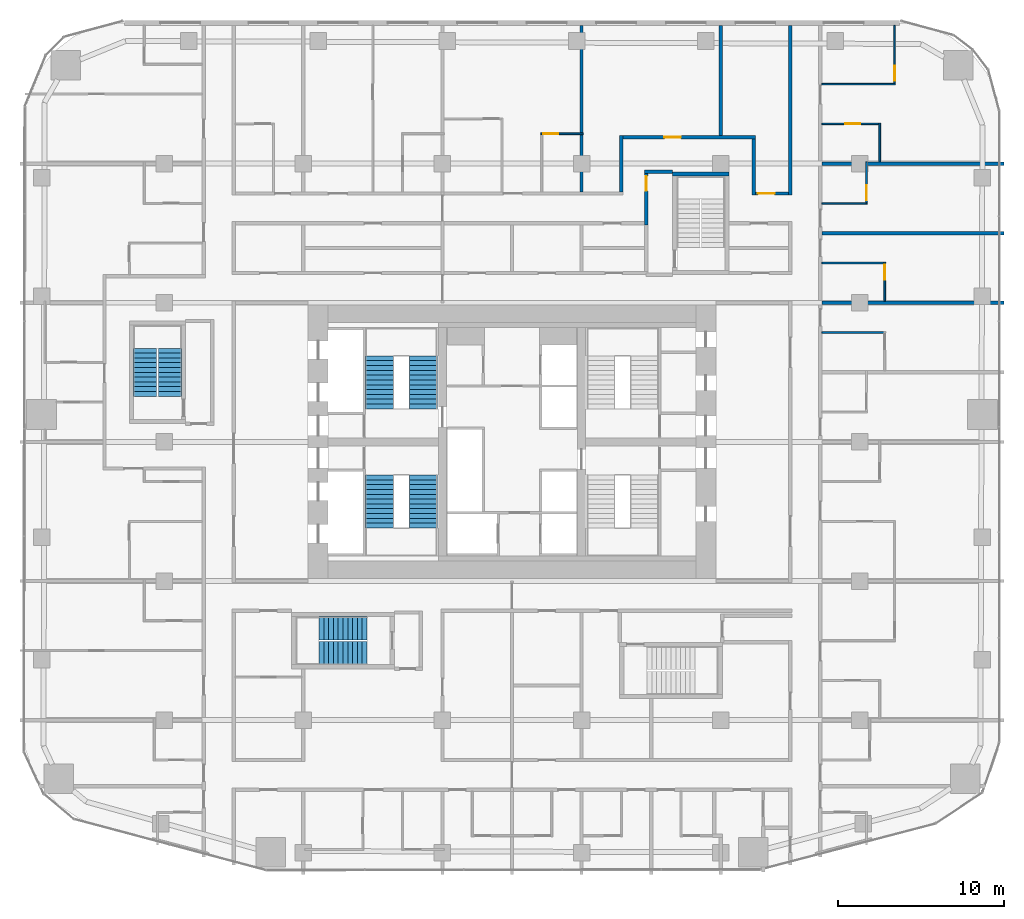
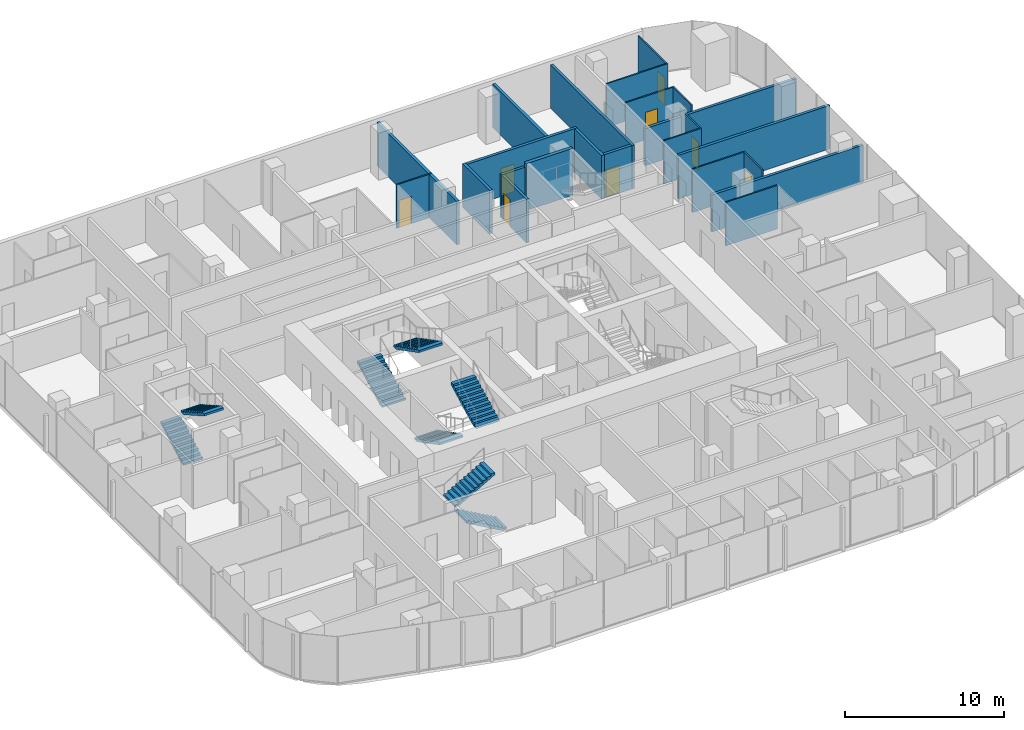
# One storey, part 23 of 26: 23 walls, 8 doors, 8 stair flights, 8 openings, 4 elements without a shape of their own.
"""IFC4 building model written with IfcOpenShell, lengths in metres."""

from ifc_helpers import new_model, si_unit, direction, frame, frame_2d, origin, place, context, subcontext, project, spatial, polyline, rectangle, outline, extrude, material, layer, layer_set, type_object, element, fill, aggregate, save


model = new_model("IFC4")

# Units and contexts
model_context = context("Model", 3, precision=1e-05, world=origin(), true_north=direction((0.0, 1.0)))
body_context = subcontext(model_context, "Body", "Model", "MODEL_VIEW")
ifc_project = project(units=[si_unit("LENGTHUNIT", "METRE"), si_unit("AREAUNIT", "SQUARE_METRE"), si_unit("VOLUMEUNIT", "CUBIC_METRE"), si_unit("PLANEANGLEUNIT", "RADIAN"), si_unit("MASSUNIT", "GRAM", prefix="KILO")], contexts=[model_context])

# Site, building, storey
site_placement = place(None, origin())
site = spatial("IfcSite", under=ifc_project, at=site_placement, CompositionType="ELEMENT")
building_placement = place(site_placement, origin())
building = spatial("IfcBuilding", under=site, at=building_placement, Name="Marenta Gate Hotel Tower", CompositionType="ELEMENT")
storey_placement = place(building_placement, frame((0.0, 0.0, 65.300048828125)))
storey = spatial("IfcBuildingStorey", under=building, at=storey_placement, Name="L14", CompositionType="ELEMENT", Elevation=65.300048828125)

# Walls
ifc_material_1 = material(Name="Concrete C40", Category="concrete")
ifc_layer_1 = layer(ifc_material_1, 0.25)
ifc_layer_set_1 = layer_set([ifc_layer_1], Name="Concrete C40")
wall_type_1 = type_object("IfcWallType", Name="Remote stair enclosure wall 250 REI 180", PredefinedType="SHEAR", material=ifc_layer_set_1)
wall_1_placement = place(storey_placement, frame((9.699951171875, 24.574951171875, 0.099853515625), z_axis=(0.0, 0.0, 1.0), x_axis=(1.0, 0.0, 0.0)))
element("IfcWall", 1, at=wall_1_placement, inside=storey, type_object=wall_type_1, Name="L14-RS-Z1-4-W2", PredefinedType="SHEAR", context=body_context, shape_type="SweptSolid", body=[
    extrude(rectangle(XDim=3.400146484375, YDim=0.25, at=frame_2d((1.7001953125, 0.0))), origin(), (0.0, 0.0, 1.0), 3.60009765625),
])
ifc_material_2 = material(Name="Gypsum board on steel stud", Category="steel")
ifc_layer_2 = layer(ifc_material_2, 0.199951171875)
ifc_layer_set_2 = layer_set([ifc_layer_2], Name="Gypsum board on steel stud")
wall_type_2 = type_object("IfcWallType", Name="Room corridor wall 200 EI 60", PredefinedType="PARTITIONING", material=ifc_layer_set_2)
wall_2_placement = place(storey_placement, frame((16.800048828125, 23.300048828125, 0.0), z_axis=(0.0, 0.0, 1.0), x_axis=(0.0, 1.0, 0.0)))
element("IfcWall", 2, at=wall_2_placement, inside=storey, type_object=wall_type_2, Name="L14-PTN-W018", PredefinedType="PARTITIONING", context=body_context, shape_type="SweptSolid", body=[
    extrude(rectangle(XDim=10.239990234375, YDim=0.199951171875, at=frame_2d((5.1201171875, 0.0))), origin(), (0.0, 0.0, 1.0), 3.33984375),
])
for number, where, z_axis, x_axis, name in (
    (3, (14.60009765625, 23.300048828125, 0.0), (0.0, 0.0, 1.0), (0.0, 1.0, 0.0), "L14-PTN-W028"),
    (4, (6.60009765625, 23.5, 0.0), (0.0, 0.0, 1.0), (0.0, 1.0, 0.0), "L14-PTN-W050"),
):
    element("IfcWall", number, at=place(storey_placement, frame(where, z_axis=z_axis, x_axis=x_axis)), inside=storey, type_object=wall_type_2, Name=name, PredefinedType="PARTITIONING", context=body_context, shape_type="SweptSolid", body=[
        extrude(rectangle(XDim=3.39990234375, YDim=0.199951171875, at=frame_2d((1.699951171875, 0.0))), origin(), (0.0, 0.0, 1.0), 3.33984375),
    ])

# Wall, opening, door
wall_3_placement = place(storey_placement, frame((14.699951171875, 23.39990234375, 0.0), z_axis=(0.0, 0.0, 1.0), x_axis=(1.0, 0.0, 0.0)))
wall_3 = element("IfcWall", 5, at=wall_3_placement, inside=storey, type_object=wall_type_2, Name="L14-PTN-W138", PredefinedType="PARTITIONING", context=body_context, shape_type="SweptSolid", body=[
    extrude(rectangle(XDim=2.0, YDim=0.199951171875, at=frame_2d((1.0, 0.0))), origin(), (0.0, 0.0, 1.0), 3.33984375),
])
opening_1_placement = place(wall_3_placement, frame((0.14990234375, 0.0, 0.0)))
opening_1 = element("IfcOpeningElement", 6, at=opening_1_placement, cuts=wall_3, Name="Opening G05-34", PredefinedType="OPENING", context=body_context, shape_type="SweptSolid", body=[
    extrude(rectangle(XDim=1.0, YDim=2.10009765625, at=frame_2d((0.5, 1.050048828125))), frame((0.0, 0.10009765625, 0.0), z_axis=(0.0, -1.0, 0.0), x_axis=(1.0, 0.0, 0.0)), (0.0, 0.0, 1.0), 0.199951171875),
])
ifc_material_3 = material(Name="Timber door leaf", Category="wood")
door_type_1 = type_object("IfcDoorType", Name="Room amenity door 1000x2100 EI 30", OperationType="NOTDEFINED", PredefinedType="DOOR", material=ifc_material_3)
door_1_placement = place(opening_1_placement, origin())
door_1 = element("IfcDoor", 7, at=door_1_placement, inside=storey, type_object=door_type_1, Name="L14-PD-D034", OperationType="SINGLE_SWING_LEFT", OverallHeight=2.10009765625, OverallWidth=1.0, PredefinedType="DOOR", context=body_context, shape_type="SweptSolid", body=[
    extrude(rectangle(XDim=1.0, YDim=2.10009765625, at=frame_2d((0.5, 1.050048828125))), frame((0.0, 0.02490234375, 0.0), z_axis=(0.0, -1.0, 0.0), x_axis=(1.0, 0.0, 0.0)), (0.0, 0.0, 1.0), 0.050048828125),
])
fill(opening_1, door_1)

wall_4_placement = place(storey_placement, frame((6.699951171875, 26.800048828125, 0.0), z_axis=(0.0, 0.0, 1.0), x_axis=(1.0, 0.0, 0.0)))
wall_4 = element("IfcWall", 8, at=wall_4_placement, inside=storey, type_object=wall_type_2, Name="L14-PTN-W143", PredefinedType="PARTITIONING", context=body_context, shape_type="SweptSolid", body=[
    extrude(rectangle(XDim=8.0, YDim=0.199951171875, at=frame_2d((4.0, 0.0))), origin(), (0.0, 0.0, 1.0), 3.33984375),
])
opening_2_placement = place(wall_4_placement, frame((2.5, 0.0, 0.0)))
opening_2 = element("IfcOpeningElement", 9, at=opening_2_placement, cuts=wall_4, Name="Opening G05-70", PredefinedType="OPENING", context=body_context, shape_type="SweptSolid", body=[
    extrude(rectangle(XDim=1.0, YDim=2.10009765625, at=frame_2d((0.5, 1.050048828125))), frame((0.0, 0.10009765625, 0.0), z_axis=(0.0, -1.0, 0.0), x_axis=(1.0, 0.0, 0.0)), (0.0, 0.0, 1.0), 0.199951171875),
])
door_2_placement = place(opening_2_placement, origin())
door_2 = element("IfcDoor", 10, at=door_2_placement, inside=storey, type_object=door_type_1, Name="L14-PD-D070", OperationType="SINGLE_SWING_RIGHT", OverallHeight=2.10009765625, OverallWidth=1.0, PredefinedType="DOOR", context=body_context, shape_type="SweptSolid", body=[
    extrude(rectangle(XDim=1.0, YDim=2.10009765625, at=frame_2d((0.5, 1.050048828125))), frame((0.0, 0.02490234375, 0.0), z_axis=(0.0, -1.0, 0.0), x_axis=(1.0, 0.0, 0.0)), (0.0, 0.0, 1.0), 0.050048828125),
])
fill(opening_2, door_2)

ifc_material_4 = material(Name="Concrete blockwork", Category="masonry")
ifc_layer_3 = layer(ifc_material_4, 0.199951171875)
ifc_layer_set_3 = layer_set([ifc_layer_3], Name="Concrete blockwork")
wall_type_3 = type_object("IfcWallType", Name="Room corridor wall 200 REI 180", PredefinedType="PARTITIONING", material=ifc_layer_set_3)
wall_5_placement = place(storey_placement, frame((8.10009765625, 21.5, 0.0), z_axis=(0.0, 0.0, 1.0), x_axis=(0.0, 1.0, 0.0)))
wall_5 = element("IfcWall", 11, at=wall_5_placement, inside=storey, type_object=wall_type_3, Name="L14-PTN-W048", PredefinedType="PARTITIONING", context=body_context, shape_type="SweptSolid", body=[
    extrude(rectangle(XDim=3.10009765625, YDim=0.199951171875, at=frame_2d((1.550048828125, 0.0))), origin(), (0.0, 0.0, 1.0), 3.33984375),
])
opening_3_placement = place(wall_5_placement, frame((2.050048828125, 0.0, 0.0)))
opening_3 = element("IfcOpeningElement", 12, at=opening_3_placement, cuts=wall_5, Name="Opening G05-69", PredefinedType="OPENING", context=body_context, shape_type="SweptSolid", body=[
    extrude(rectangle(XDim=0.89990234375, YDim=2.10009765625, at=frame_2d((0.449951171875, 1.050048828125))), frame((0.0, 0.10009765625, 0.0), z_axis=(0.0, -1.0, 0.0), x_axis=(1.0, 0.0, 0.0)), (0.0, 0.0, 1.0), 0.199951171875),
])
ifc_material_5 = material(Name="Hollow steel door set", Category="steel")
door_type_2 = type_object("IfcDoorType", Name="Stair vestibule door 900x2100 EI 60", OperationType="NOTDEFINED", PredefinedType="DOOR", material=ifc_material_5)
door_3_placement = place(opening_3_placement, origin())
door_3 = element("IfcDoor", 13, at=door_3_placement, inside=storey, type_object=door_type_2, Name="L14-PD-D069", OperationType="SINGLE_SWING_LEFT", OverallHeight=2.10009765625, OverallWidth=0.89990234375, PredefinedType="DOOR", context=body_context, shape_type="SweptSolid", body=[
    extrude(rectangle(XDim=0.89990234375, YDim=2.10009765625, at=frame_2d((0.449951171875, 1.050048828125))), frame((0.0, 0.02490234375, 0.0), z_axis=(0.0, -1.0, 0.0), x_axis=(1.0, 0.0, 0.0)), (0.0, 0.0, 1.0), 0.050048828125),
])
fill(opening_3, door_3)

# Wall
wall_6_placement = place(storey_placement, frame((8.0, 24.699951171875, 0.0), z_axis=(0.0, 0.0, 1.0), x_axis=(1.0, 0.0, 0.0)))
element("IfcWall", 14, at=wall_6_placement, inside=storey, type_object=wall_type_3, Name="L14-PTN-W140", PredefinedType="PARTITIONING", context=body_context, shape_type="SweptSolid", body=[
    extrude(rectangle(XDim=1.699951171875, YDim=0.199951171875, at=frame_2d((0.85009765625, 0.0))), origin(), (0.0, 0.0, 1.0), 3.33984375),
])

# Wall, opening, door
ifc_material_6 = material(Name="Gypsum board on steel stud", Category="steel")
ifc_layer_4 = layer(ifc_material_6, 0.10009765625)
ifc_layer_set_4 = layer_set([ifc_layer_4], Name="Gypsum board on steel stud")
wall_type_4 = type_object("IfcWallType", Name="Room partition 100", PredefinedType="PARTITIONING", material=ifc_layer_set_4)
wall_7_placement = place(storey_placement, frame((23.10009765625, 30.050048828125, 0.0), z_axis=(0.0, 0.0, 1.0), x_axis=(0.0, 1.0, 0.0)))
wall_7 = element("IfcWall", 15, at=wall_7_placement, inside=storey, type_object=wall_type_4, Name="L14-PTN-W002", PredefinedType="PARTITIONING", context=body_context, shape_type="SweptSolid", body=[
    extrude(rectangle(XDim=3.489990234375, YDim=0.10009765625, at=frame_2d((1.7451171875, 0.0))), origin(), (0.0, 0.0, 1.0), 3.33984375),
])
opening_4_placement = place(wall_7_placement, frame((0.14990234375, 0.0, 0.0)))
opening_4 = element("IfcOpeningElement", 16, at=opening_4_placement, cuts=wall_7, Name="Opening G05-24", PredefinedType="OPENING", context=body_context, shape_type="SweptSolid", body=[
    extrude(rectangle(XDim=0.89990234375, YDim=2.10009765625, at=frame_2d((0.449951171875, 1.050048828125))), frame((0.0, 0.050048828125, 0.0), z_axis=(0.0, -1.0, 0.0), x_axis=(1.0, 0.0, 0.0)), (0.0, 0.0, 1.0), 0.10009765625),
])
ifc_material_7 = material(Name="Timber door leaf", Category="wood")
door_type_3 = type_object("IfcDoorType", Name="Guest bathroom door 900x2100", OperationType="NOTDEFINED", PredefinedType="DOOR", material=ifc_material_7)
door_4_placement = place(opening_4_placement, origin())
door_4 = element("IfcDoor", 17, at=door_4_placement, inside=storey, type_object=door_type_3, Name="L14-PD-D024", OperationType="SINGLE_SWING_LEFT", OverallHeight=2.10009765625, OverallWidth=0.89990234375, PredefinedType="DOOR", context=body_context, shape_type="SweptSolid", body=[
    extrude(rectangle(XDim=0.89990234375, YDim=2.10009765625, at=frame_2d((0.449951171875, 1.050048828125))), frame((0.0, 0.02490234375, 0.0), z_axis=(0.0, -1.0, 0.0), x_axis=(1.0, 0.0, 0.0)), (0.0, 0.0, 1.0), 0.050048828125),
])
fill(opening_4, door_4)

wall_8_placement = place(storey_placement, frame((22.5, 16.89990234375, 0.0), z_axis=(0.0, 0.0, 1.0), x_axis=(0.0, 1.0, 0.0)))
wall_8 = element("IfcWall", 18, at=wall_8_placement, inside=storey, type_object=wall_type_4, Name="L14-PTN-W004", PredefinedType="PARTITIONING", context=body_context, shape_type="SweptSolid", body=[
    extrude(rectangle(XDim=2.35009765625, YDim=0.10009765625, at=frame_2d((1.175048828125, 0.0))), origin(), (0.0, 0.0, 1.0), 3.33984375),
])
opening_5_placement = place(wall_8_placement, frame((1.300048828125, 0.0, 0.0)))
opening_5 = element("IfcOpeningElement", 19, at=opening_5_placement, cuts=wall_8, Name="Opening G05-20", PredefinedType="OPENING", context=body_context, shape_type="SweptSolid", body=[
    extrude(rectangle(XDim=0.89990234375, YDim=2.10009765625, at=frame_2d((0.449951171875, 1.050048828125))), frame((0.0, 0.050048828125, 0.0), z_axis=(0.0, -1.0, 0.0), x_axis=(1.0, 0.0, 0.0)), (0.0, 0.0, 1.0), 0.10009765625),
])
door_5_placement = place(opening_5_placement, origin())
door_5 = element("IfcDoor", 20, at=door_5_placement, inside=storey, type_object=door_type_3, Name="L14-PD-D020", OperationType="SINGLE_SWING_RIGHT", OverallHeight=2.10009765625, OverallWidth=0.89990234375, PredefinedType="DOOR", context=body_context, shape_type="SweptSolid", body=[
    extrude(rectangle(XDim=0.89990234375, YDim=2.10009765625, at=frame_2d((0.449951171875, 1.050048828125))), frame((0.0, 0.02490234375, 0.0), z_axis=(0.0, -1.0, 0.0), x_axis=(1.0, 0.0, 0.0)), (0.0, 0.0, 1.0), 0.050048828125),
])
fill(opening_5, door_5)

# Wall
wall_9_placement = place(storey_placement, frame((22.199951171875, 25.300048828125, 0.0), z_axis=(0.0, 0.0, 1.0), x_axis=(0.0, 1.0, 0.0)))
element("IfcWall", 21, at=wall_9_placement, inside=storey, type_object=wall_type_4, Name="L14-PTN-W007", PredefinedType="PARTITIONING", context=body_context, shape_type="SweptSolid", body=[
    extrude(rectangle(XDim=2.349853515625, YDim=0.10009765625, at=frame_2d((1.1748046875, 0.0))), origin(), (0.0, 0.0, 1.0), 3.33984375),
])

# Wall, opening, door
wall_10_placement = place(storey_placement, frame((21.39990234375, 22.85009765625, 0.0), z_axis=(0.0, 0.0, 1.0), x_axis=(0.0, 1.0, 0.0)))
wall_10 = element("IfcWall", 22, at=wall_10_placement, inside=storey, type_object=wall_type_4, Name="L14-PTN-W011", PredefinedType="PARTITIONING", context=body_context, shape_type="SweptSolid", body=[
    extrude(rectangle(XDim=2.449951171875, YDim=0.10009765625, at=frame_2d((1.22509765625, 0.0))), origin(), (0.0, 0.0, 1.0), 3.33984375),
])
opening_6_placement = place(wall_10_placement, frame((0.14990234375, 0.0, 0.0)))
opening_6 = element("IfcOpeningElement", 23, at=opening_6_placement, cuts=wall_10, Name="Opening G05-22", PredefinedType="OPENING", context=body_context, shape_type="SweptSolid", body=[
    extrude(rectangle(XDim=0.89990234375, YDim=2.10009765625, at=frame_2d((0.449951171875, 1.050048828125))), frame((0.0, 0.050048828125, 0.0), z_axis=(0.0, -1.0, 0.0), x_axis=(1.0, 0.0, 0.0)), (0.0, 0.0, 1.0), 0.10009765625),
])
door_6_placement = place(opening_6_placement, origin())
door_6 = element("IfcDoor", 24, at=door_6_placement, inside=storey, type_object=door_type_3, Name="L14-PD-D022", OperationType="SINGLE_SWING_LEFT", OverallHeight=2.10009765625, OverallWidth=0.89990234375, PredefinedType="DOOR", context=body_context, shape_type="SweptSolid", body=[
    extrude(rectangle(XDim=0.89990234375, YDim=2.10009765625, at=frame_2d((0.449951171875, 1.050048828125))), frame((0.0, 0.02490234375, 0.0), z_axis=(0.0, -1.0, 0.0), x_axis=(1.0, 0.0, 0.0)), (0.0, 0.0, 1.0), 0.050048828125),
])
fill(opening_6, door_6)

# Walls
for number, where, z_axis, x_axis, name in (
    (25, (18.699951171875, 15.0, 0.0), (0.0, 0.0, 1.0), (1.0, 0.0, 0.0), "L14-PTN-W104"),
    (26, (18.699951171875, 19.199951171875, 0.0), (0.0, 0.0, 1.0), (1.0, 0.0, 0.0), "L14-PTN-W119"),
):
    element("IfcWall", number, at=place(storey_placement, frame(where, z_axis=z_axis, x_axis=x_axis)), inside=storey, type_object=wall_type_4, Name=name, PredefinedType="PARTITIONING", context=body_context, shape_type="SweptSolid", body=[
        extrude(rectangle(XDim=3.75, YDim=0.10009765625, at=frame_2d((1.875, 0.0))), origin(), (0.0, 0.0, 1.0), 3.33984375),
    ])
wall_11_placement = place(storey_placement, frame((18.699951171875, 22.800048828125, 0.0), z_axis=(0.0, 0.0, 1.0), x_axis=(1.0, 0.0, 0.0)))
element("IfcWall", 27, at=wall_11_placement, inside=storey, type_object=wall_type_4, Name="L14-PTN-W134", PredefinedType="PARTITIONING", context=body_context, shape_type="SweptSolid", body=[
    extrude(rectangle(XDim=2.75, YDim=0.10009765625, at=frame_2d((1.375, 0.0))), origin(), (0.0, 0.0, 1.0), 3.33984375),
])

# Wall, opening, door
wall_12_placement = place(storey_placement, frame((1.75, 27.0, 0.0), z_axis=(0.0, 0.0, 1.0), x_axis=(1.0, 0.0, 0.0)))
wall_12 = element("IfcWall", 28, at=wall_12_placement, inside=storey, type_object=wall_type_4, Name="L14-PTN-W145", PredefinedType="PARTITIONING", context=body_context, shape_type="SweptSolid", body=[
    extrude(rectangle(XDim=2.550048828125, YDim=0.10009765625, at=frame_2d((1.27490234375, 0.0))), origin(), (0.0, 0.0, 1.0), 3.33984375),
])
opening_7_placement = place(wall_12_placement, frame((0.14990234375, 0.0, 0.0)))
opening_7 = element("IfcOpeningElement", 29, at=opening_7_placement, cuts=wall_12, Name="Opening G05-33", PredefinedType="OPENING", context=body_context, shape_type="SweptSolid", body=[
    extrude(rectangle(XDim=0.89990234375, YDim=2.10009765625, at=frame_2d((0.449951171875, 1.050048828125))), frame((0.0, 0.050048828125, 0.0), z_axis=(0.0, -1.0, 0.0), x_axis=(1.0, 0.0, 0.0)), (0.0, 0.0, 1.0), 0.10009765625),
])
ifc_material_8 = material(Name="Timber door leaf", Category="wood")
door_type_4 = type_object("IfcDoorType", Name="Room inner door 900x2100", OperationType="NOTDEFINED", PredefinedType="DOOR", material=ifc_material_8)
door_7_placement = place(opening_7_placement, origin())
door_7 = element("IfcDoor", 30, at=door_7_placement, inside=storey, type_object=door_type_4, Name="L14-PD-D033", OperationType="SINGLE_SWING_RIGHT", OverallHeight=2.10009765625, OverallWidth=0.89990234375, PredefinedType="DOOR", context=body_context, shape_type="SweptSolid", body=[
    extrude(rectangle(XDim=0.89990234375, YDim=2.10009765625, at=frame_2d((0.449951171875, 1.050048828125))), frame((0.0, 0.02490234375, 0.0), z_axis=(0.0, -1.0, 0.0), x_axis=(1.0, 0.0, 0.0)), (0.0, 0.0, 1.0), 0.050048828125),
])
fill(opening_7, door_7)

wall_13_placement = place(storey_placement, frame((18.699951171875, 27.60009765625, 0.0), z_axis=(0.0, 0.0, 1.0), x_axis=(1.0, 0.0, 0.0)))
wall_13 = element("IfcWall", 31, at=wall_13_placement, inside=storey, type_object=wall_type_4, Name="L14-PTN-W147", PredefinedType="PARTITIONING", context=body_context, shape_type="SweptSolid", body=[
    extrude(rectangle(XDim=3.449951171875, YDim=0.10009765625, at=frame_2d((1.72509765625, 0.0))), origin(), (0.0, 0.0, 1.0), 3.33984375),
])
opening_8_placement = place(wall_13_placement, frame((1.429931640625, 0.0, 0.0)))
opening_8 = element("IfcOpeningElement", 32, at=opening_8_placement, cuts=wall_13, Name="Opening G05-25", PredefinedType="OPENING", context=body_context, shape_type="SweptSolid", body=[
    extrude(rectangle(XDim=0.89990234375, YDim=2.10009765625, at=frame_2d((0.449951171875, 1.050048828125))), frame((0.0, 0.050048828125, 0.0), z_axis=(0.0, -1.0, 0.0), x_axis=(1.0, 0.0, 0.0)), (0.0, 0.0, 1.0), 0.10009765625),
])
door_8_placement = place(opening_8_placement, origin())
door_8 = element("IfcDoor", 33, at=door_8_placement, inside=storey, type_object=door_type_4, Name="L14-PD-D025", OperationType="SINGLE_SWING_LEFT", OverallHeight=2.10009765625, OverallWidth=0.89990234375, PredefinedType="DOOR", context=body_context, shape_type="SweptSolid", body=[
    extrude(rectangle(XDim=0.89990234375, YDim=2.10009765625, at=frame_2d((0.449951171875, 1.050048828125))), frame((0.0, 0.02490234375, 0.0), z_axis=(0.0, -1.0, 0.0), x_axis=(1.0, 0.0, 0.0)), (0.0, 0.0, 1.0), 0.050048828125),
])
fill(opening_8, door_8)

# Walls
wall_14_placement = place(storey_placement, frame((18.699951171875, 30.0, 0.0), z_axis=(0.0, 0.0, 1.0), x_axis=(1.0, 0.0, 0.0)))
element("IfcWall", 34, at=wall_14_placement, inside=storey, type_object=wall_type_4, Name="L14-PTN-W152", PredefinedType="PARTITIONING", context=body_context, shape_type="SweptSolid", body=[
    extrude(rectangle(XDim=4.449951171875, YDim=0.10009765625, at=frame_2d((2.22509765625, 0.0))), origin(), (0.0, 0.0, 1.0), 3.33984375),
])
ifc_material_9 = material(Name="Gypsum board on steel stud", Category="steel")
ifc_layer_5 = layer(ifc_material_9, 0.199951171875)
ifc_layer_set_5 = layer_set([ifc_layer_5], Name="Gypsum board on steel stud")
wall_type_5 = type_object("IfcWallType", Name="Room party wall 200 EI 60", PredefinedType="PARTITIONING", material=ifc_layer_set_5)
wall_15_placement = place(storey_placement, frame((12.60009765625, 26.89990234375, 0.0), z_axis=(0.0, 0.0, 1.0), x_axis=(0.0, 1.0, 0.0)))
element("IfcWall", 35, at=wall_15_placement, inside=storey, type_object=wall_type_5, Name="L14-PTN-W033", PredefinedType="PARTITIONING", context=body_context, shape_type="SweptSolid", body=[
    extrude(rectangle(XDim=6.64013671875, YDim=0.199951171875, at=frame_2d((3.320068359375, 0.0))), origin(), (0.0, 0.0, 1.0), 3.33984375),
])
wall_16_placement = place(storey_placement, frame((4.199951171875, 23.5, 0.0), z_axis=(0.0, 0.0, 1.0), x_axis=(0.0, 1.0, 0.0)))
element("IfcWall", 36, at=wall_16_placement, inside=storey, type_object=wall_type_5, Name="L14-PTN-W059", PredefinedType="PARTITIONING", context=body_context, shape_type="SweptSolid", body=[
    extrude(rectangle(XDim=10.0400390625, YDim=0.199951171875, at=frame_2d((5.02001953125, 0.0))), origin(), (0.0, 0.0, 1.0), 3.33984375),
])
wall_17_placement = place(storey_placement, frame((18.699951171875, 16.800048828125, 0.0), z_axis=(0.0, 0.0, 1.0), x_axis=(1.0, 0.0, 0.0)))
element("IfcWall", 37, at=wall_17_placement, inside=storey, type_object=wall_type_5, Name="L14-PTN-W111", PredefinedType="PARTITIONING", context=body_context, shape_type="SweptSolid", body=[
    extrude(rectangle(XDim=11.0, YDim=0.199951171875, at=frame_2d((5.5, 0.0))), origin(), (0.0, 0.0, 1.0), 2.83984375),
])
wall_18_placement = place(storey_placement, frame((18.699951171875, 21.0, 0.0), z_axis=(0.0, 0.0, 1.0), x_axis=(1.0, 0.0, 0.0)))
element("IfcWall", 38, at=wall_18_placement, inside=storey, type_object=wall_type_5, Name="L14-PTN-W124", PredefinedType="PARTITIONING", context=body_context, shape_type="SweptSolid", body=[
    extrude(rectangle(XDim=11.0, YDim=0.199951171875, at=frame_2d((5.5, 0.0))), origin(), (0.0, 0.0, 1.0), 3.33984375),
])
wall_19_placement = place(storey_placement, frame((18.699951171875, 25.199951171875, 0.0), z_axis=(0.0, 0.0, 1.0), x_axis=(1.0, 0.0, 0.0)))
element("IfcWall", 39, at=wall_19_placement, inside=storey, type_object=wall_type_5, Name="L14-PTN-W142", PredefinedType="PARTITIONING", context=body_context, shape_type="SweptSolid", body=[
    extrude(rectangle(XDim=11.0, YDim=0.199951171875, at=frame_2d((5.5, 0.0))), origin(), (0.0, 0.0, 1.0), 2.83984375),
])

# Stair, stair flights
ifc_material_10 = material(Name="Concrete C40", Category="concrete")
stair_type_1 = type_object("IfcStairType", Name="Core exit stair 1700 wide", PredefinedType="HALF_TURN_STAIR", material=ifc_material_10)
stair_1_placement = place(storey_placement, origin())
stair_1 = element("IfcStair", 40, at=stair_1_placement, inside=storey, type_object=stair_type_1, Name="Exit stair 1", PredefinedType="HALF_TURN_STAIR")
ifc_material_11 = material(Name="Concrete C40", Category="concrete")
stair_flight_type_1 = type_object("IfcStairFlightType", Name="Core stair flight 1700 riser 150.0 going 290", PredefinedType="STRAIGHT", material=ifc_material_11)
stair_flight_1_placement = place(storey_placement, frame((-8.0, 6.39990234375, 0.0), z_axis=(0.0, 0.0, 1.0), x_axis=(0.0, -1.0, 0.0)))
stair_flight_1 = element("IfcStairFlight", 41, at=stair_flight_1_placement, type_object=stair_flight_type_1, Name="ST1 flight 1", NumberOfRisers=12, NumberOfTreads=11, PredefinedType="STRAIGHT", RiserHeight=0.15, TreadLength=0.29, context=body_context, shape_type="SweptSolid", body=[
    extrude(outline(polyline([(0.0, 0.0), (0.0, 0.14990234375), (0.2900390625, 0.14990234375), (0.2900390625, 0.300048828125), (0.580078125, 0.300048828125), (0.580078125, 0.449951171875), (0.8701171875, 0.449951171875), (0.8701171875, 0.60009765625), (1.159912109375, 0.60009765625), (1.159912109375, 0.75), (1.449951171875, 0.75), (1.449951171875, 0.89990234375), (1.739990234375, 0.89990234375), (1.739990234375, 1.050048828125), (2.030029296875, 1.050048828125), (2.030029296875, 1.199951171875), (2.320068359375, 1.199951171875), (2.320068359375, 1.35009765625), (2.610107421875, 1.35009765625), (2.610107421875, 1.5), (2.89990234375, 1.5), (2.89990234375, 1.64990234375), (3.18994140625, 1.64990234375), (3.18994140625, 1.800048828125), (3.18994140625, 1.481201171875), (0.326171875, 0.0), (0.0, 0.0)])), frame((0.0, 0.85009765625, 0.0), z_axis=(0.0, -1.0, 0.0), x_axis=(1.0, 0.0, 0.0)), (0.0, 0.0, 1.0), 1.699951171875),
])
stair_flight_2_placement = place(storey_placement, frame((-5.35009765625, 3.2099609375, 1.800048828125), z_axis=(0.0, 0.0, 1.0), x_axis=(0.0, 1.0, 0.0)))
stair_flight_2 = element("IfcStairFlight", 42, at=stair_flight_2_placement, type_object=stair_flight_type_1, Name="ST1 flight 2", NumberOfRisers=12, NumberOfTreads=11, PredefinedType="STRAIGHT", RiserHeight=0.15, TreadLength=0.29, context=body_context, shape_type="SweptSolid", body=[
    extrude(outline(polyline([(0.0, 0.0), (0.0, 0.14990234375), (0.2900390625, 0.14990234375), (0.2900390625, 0.300048828125), (0.580078125, 0.300048828125), (0.580078125, 0.449951171875), (0.8701171875, 0.449951171875), (0.8701171875, 0.60009765625), (1.159912109375, 0.60009765625), (1.159912109375, 0.75), (1.449951171875, 0.75), (1.449951171875, 0.89990234375), (1.739990234375, 0.89990234375), (1.739990234375, 1.050048828125), (2.030029296875, 1.050048828125), (2.030029296875, 1.199951171875), (2.320068359375, 1.199951171875), (2.320068359375, 1.35009765625), (2.610107421875, 1.35009765625), (2.610107421875, 1.5), (2.89990234375, 1.5), (2.89990234375, 1.64990234375), (3.18994140625, 1.64990234375), (3.18994140625, 1.800048828125), (3.18994140625, 1.481201171875), (0.326171875, 0.0), (0.0, 0.0)])), frame((0.0, 0.85009765625, 0.0), z_axis=(0.0, -1.0, 0.0), x_axis=(1.0, 0.0, 0.0)), (0.0, 0.0, 1.0), 1.699951171875),
])
aggregate(stair_1, [stair_flight_1, stair_flight_2])

stair_2_placement = place(storey_placement, origin())
stair_2 = element("IfcStair", 43, at=stair_2_placement, inside=storey, type_object=stair_type_1, Name="Exit stair 2", PredefinedType="HALF_TURN_STAIR")
stair_flight_3_placement = place(storey_placement, frame((-8.0, 10.39990234375, 0.0), z_axis=(0.0, 0.0, 1.0), x_axis=(0.0, 1.0, 0.0)))
stair_flight_3 = element("IfcStairFlight", 44, at=stair_flight_3_placement, type_object=stair_flight_type_1, Name="ST2 flight 1", NumberOfRisers=12, NumberOfTreads=11, PredefinedType="STRAIGHT", RiserHeight=0.15, TreadLength=0.29, context=body_context, shape_type="SweptSolid", body=[
    extrude(outline(polyline([(0.0, 0.0), (0.0, 0.14990234375), (0.2900390625, 0.14990234375), (0.2900390625, 0.300048828125), (0.580078125, 0.300048828125), (0.580078125, 0.449951171875), (0.8701171875, 0.449951171875), (0.8701171875, 0.60009765625), (1.159912109375, 0.60009765625), (1.159912109375, 0.75), (1.449951171875, 0.75), (1.449951171875, 0.89990234375), (1.739990234375, 0.89990234375), (1.739990234375, 1.050048828125), (2.030029296875, 1.050048828125), (2.030029296875, 1.199951171875), (2.320068359375, 1.199951171875), (2.320068359375, 1.35009765625), (2.610107421875, 1.35009765625), (2.610107421875, 1.5), (2.89990234375, 1.5), (2.89990234375, 1.64990234375), (3.18994140625, 1.64990234375), (3.18994140625, 1.800048828125), (3.18994140625, 1.481201171875), (0.326171875, 0.0), (0.0, 0.0)])), frame((0.0, 0.85009765625, 0.0), z_axis=(0.0, -1.0, 0.0), x_axis=(1.0, 0.0, 0.0)), (0.0, 0.0, 1.0), 1.699951171875),
])
stair_flight_4_placement = place(storey_placement, frame((-5.35009765625, 13.590087890625, 1.800048828125), z_axis=(0.0, 0.0, 1.0), x_axis=(0.0, -1.0, 0.0)))
stair_flight_4 = element("IfcStairFlight", 45, at=stair_flight_4_placement, type_object=stair_flight_type_1, Name="ST2 flight 2", NumberOfRisers=12, NumberOfTreads=11, PredefinedType="STRAIGHT", RiserHeight=0.15, TreadLength=0.29, context=body_context, shape_type="SweptSolid", body=[
    extrude(outline(polyline([(0.0, 0.0), (0.0, 0.14990234375), (0.2900390625, 0.14990234375), (0.2900390625, 0.300048828125), (0.580078125, 0.300048828125), (0.580078125, 0.449951171875), (0.8701171875, 0.449951171875), (0.8701171875, 0.60009765625), (1.159912109375, 0.60009765625), (1.159912109375, 0.75), (1.449951171875, 0.75), (1.449951171875, 0.89990234375), (1.739990234375, 0.89990234375), (1.739990234375, 1.050048828125), (2.030029296875, 1.050048828125), (2.030029296875, 1.199951171875), (2.320068359375, 1.199951171875), (2.320068359375, 1.35009765625), (2.610107421875, 1.35009765625), (2.610107421875, 1.5), (2.89990234375, 1.5), (2.89990234375, 1.64990234375), (3.18994140625, 1.64990234375), (3.18994140625, 1.800048828125), (3.18994140625, 1.481201171875), (0.326171875, 0.0), (0.0, 0.0)])), frame((0.0, 0.85009765625, 0.0), z_axis=(0.0, -1.0, 0.0), x_axis=(1.0, 0.0, 0.0)), (0.0, 0.0, 1.0), 1.699951171875),
])
aggregate(stair_2, [stair_flight_3, stair_flight_4])

ifc_material_12 = material(Name="Concrete C40", Category="concrete")
stair_type_2 = type_object("IfcStairType", Name="Remote exit stair 1400 wide", PredefinedType="HALF_TURN_STAIR", material=ifc_material_12)
stair_3_placement = place(storey_placement, origin())
stair_3 = element("IfcStair", 46, at=stair_3_placement, inside=storey, type_object=stair_type_2, Name="Exit stair RS-Z1-2", PredefinedType="HALF_TURN_STAIR")
ifc_material_13 = material(Name="Concrete C40", Category="concrete")
stair_flight_type_2 = type_object("IfcStairFlightType", Name="Remote stair flight 1400 riser 163.6 going 290", PredefinedType="STRAIGHT", material=ifc_material_13)
stair_flight_5_placement = place(storey_placement, frame((-8.75, -4.35009765625, 0.0), z_axis=(0.0, 0.0, 1.0), x_axis=(-1.0, 0.0, 0.0)))
stair_flight_5 = element("IfcStairFlight", 47, at=stair_flight_5_placement, type_object=stair_flight_type_2, Name="RS-Z1-2 flight 1", NumberOfRisers=11, NumberOfTreads=10, PredefinedType="STRAIGHT", RiserHeight=0.163636, TreadLength=0.29, context=body_context, shape_type="SweptSolid", body=[
    extrude(outline(polyline([(0.0, 0.0), (0.0, 0.16357421875), (0.2900390625, 0.16357421875), (0.2900390625, 0.327392578125), (0.580078125, 0.327392578125), (0.580078125, 0.490966796875), (0.8701171875, 0.490966796875), (0.8701171875, 0.654541015625), (1.159912109375, 0.654541015625), (1.159912109375, 0.818115234375), (1.449951171875, 0.818115234375), (1.449951171875, 0.98193359375), (1.739990234375, 0.98193359375), (1.739990234375, 1.1455078125), (2.030029296875, 1.1455078125), (2.030029296875, 1.30908203125), (2.320068359375, 1.30908203125), (2.320068359375, 1.47265625), (2.610107421875, 1.47265625), (2.610107421875, 1.636474609375), (2.89990234375, 1.636474609375), (2.89990234375, 1.800048828125), (2.89990234375, 1.46435546875), (0.304931640625, 0.0), (0.0, 0.0)])), frame((0.0, 0.699951171875, 0.0), z_axis=(0.0, -1.0, 0.0), x_axis=(1.0, 0.0, 0.0)), (0.0, 0.0, 1.0), 1.39990234375),
])
stair_flight_6_placement = place(storey_placement, frame((-11.64990234375, -2.85009765625, 1.800048828125), z_axis=(0.0, 0.0, 1.0), x_axis=(1.0, 0.0, 0.0)))
stair_flight_6 = element("IfcStairFlight", 48, at=stair_flight_6_placement, type_object=stair_flight_type_2, Name="RS-Z1-2 flight 2", NumberOfRisers=11, NumberOfTreads=10, PredefinedType="STRAIGHT", RiserHeight=0.163636, TreadLength=0.29, context=body_context, shape_type="SweptSolid", body=[
    extrude(outline(polyline([(0.0, 0.0), (0.0, 0.16357421875), (0.2900390625, 0.16357421875), (0.2900390625, 0.327392578125), (0.580078125, 0.327392578125), (0.580078125, 0.490966796875), (0.8701171875, 0.490966796875), (0.8701171875, 0.654541015625), (1.159912109375, 0.654541015625), (1.159912109375, 0.818115234375), (1.449951171875, 0.818115234375), (1.449951171875, 0.98193359375), (1.739990234375, 0.98193359375), (1.739990234375, 1.1455078125), (2.030029296875, 1.1455078125), (2.030029296875, 1.30908203125), (2.320068359375, 1.30908203125), (2.320068359375, 1.47265625), (2.610107421875, 1.47265625), (2.610107421875, 1.636474609375), (2.89990234375, 1.636474609375), (2.89990234375, 1.800048828125), (2.89990234375, 1.46435546875), (0.304931640625, 0.0), (0.0, 0.0)])), frame((0.0, 0.699951171875, 0.0), z_axis=(0.0, -1.0, 0.0), x_axis=(1.0, 0.0, 0.0)), (0.0, 0.0, 1.0), 1.39990234375),
])
aggregate(stair_3, [stair_flight_5, stair_flight_6])

stair_4_placement = place(storey_placement, origin())
stair_4 = element("IfcStair", 49, at=stair_4_placement, inside=storey, type_object=stair_type_2, Name="Exit stair RS-Z1-3", PredefinedType="HALF_TURN_STAIR")
stair_flight_7_placement = place(storey_placement, frame((-22.14990234375, 11.14990234375, 0.0), z_axis=(0.0, 0.0, 1.0), x_axis=(0.0, 1.0, 0.0)))
stair_flight_7 = element("IfcStairFlight", 50, at=stair_flight_7_placement, type_object=stair_flight_type_2, Name="RS-Z1-3 flight 1", NumberOfRisers=11, NumberOfTreads=10, PredefinedType="STRAIGHT", RiserHeight=0.163636, TreadLength=0.29, context=body_context, shape_type="SweptSolid", body=[
    extrude(outline(polyline([(0.0, 0.0), (0.0, 0.16357421875), (0.2900390625, 0.16357421875), (0.2900390625, 0.327392578125), (0.580078125, 0.327392578125), (0.580078125, 0.490966796875), (0.8701171875, 0.490966796875), (0.8701171875, 0.654541015625), (1.159912109375, 0.654541015625), (1.159912109375, 0.818115234375), (1.449951171875, 0.818115234375), (1.449951171875, 0.98193359375), (1.739990234375, 0.98193359375), (1.739990234375, 1.1455078125), (2.030029296875, 1.1455078125), (2.030029296875, 1.30908203125), (2.320068359375, 1.30908203125), (2.320068359375, 1.47265625), (2.610107421875, 1.47265625), (2.610107421875, 1.636474609375), (2.89990234375, 1.636474609375), (2.89990234375, 1.800048828125), (2.89990234375, 1.46435546875), (0.304931640625, 0.0), (0.0, 0.0)])), frame((0.0, 0.699951171875, 0.0), z_axis=(0.0, -1.0, 0.0), x_axis=(1.0, 0.0, 0.0)), (0.0, 0.0, 1.0), 1.39990234375),
])
stair_flight_8_placement = place(storey_placement, frame((-20.64990234375, 14.050048828125, 1.800048828125), z_axis=(0.0, 0.0, 1.0), x_axis=(0.0, -1.0, 0.0)))
stair_flight_8 = element("IfcStairFlight", 51, at=stair_flight_8_placement, type_object=stair_flight_type_2, Name="RS-Z1-3 flight 2", NumberOfRisers=11, NumberOfTreads=10, PredefinedType="STRAIGHT", RiserHeight=0.163636, TreadLength=0.29, context=body_context, shape_type="SweptSolid", body=[
    extrude(outline(polyline([(0.0, 0.0), (0.0, 0.16357421875), (0.2900390625, 0.16357421875), (0.2900390625, 0.327392578125), (0.580078125, 0.327392578125), (0.580078125, 0.490966796875), (0.8701171875, 0.490966796875), (0.8701171875, 0.654541015625), (1.159912109375, 0.654541015625), (1.159912109375, 0.818115234375), (1.449951171875, 0.818115234375), (1.449951171875, 0.98193359375), (1.739990234375, 0.98193359375), (1.739990234375, 1.1455078125), (2.030029296875, 1.1455078125), (2.030029296875, 1.30908203125), (2.320068359375, 1.30908203125), (2.320068359375, 1.47265625), (2.610107421875, 1.47265625), (2.610107421875, 1.636474609375), (2.89990234375, 1.636474609375), (2.89990234375, 1.800048828125), (2.89990234375, 1.46435546875), (0.304931640625, 0.0), (0.0, 0.0)])), frame((0.0, 0.699951171875, 0.0), z_axis=(0.0, -1.0, 0.0), x_axis=(1.0, 0.0, 0.0)), (0.0, 0.0, 1.0), 1.39990234375),
])
aggregate(stair_4, [stair_flight_7, stair_flight_8])

save(model, "model.ifc")
